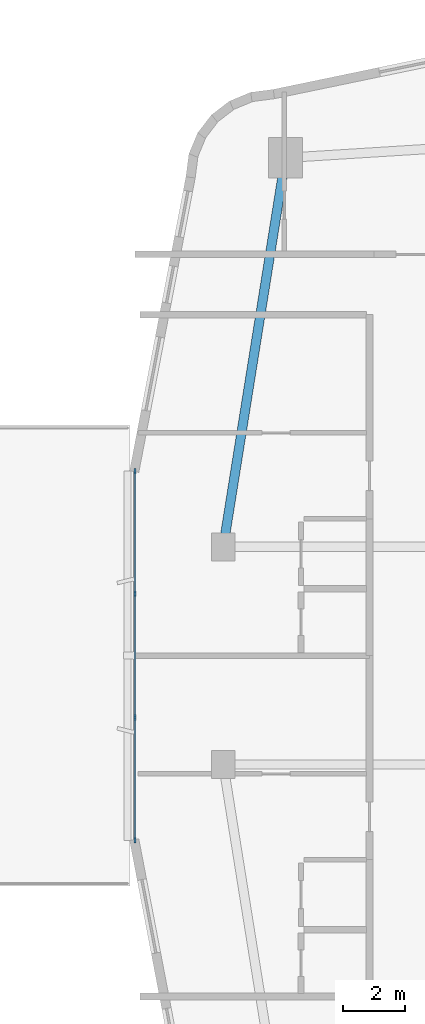
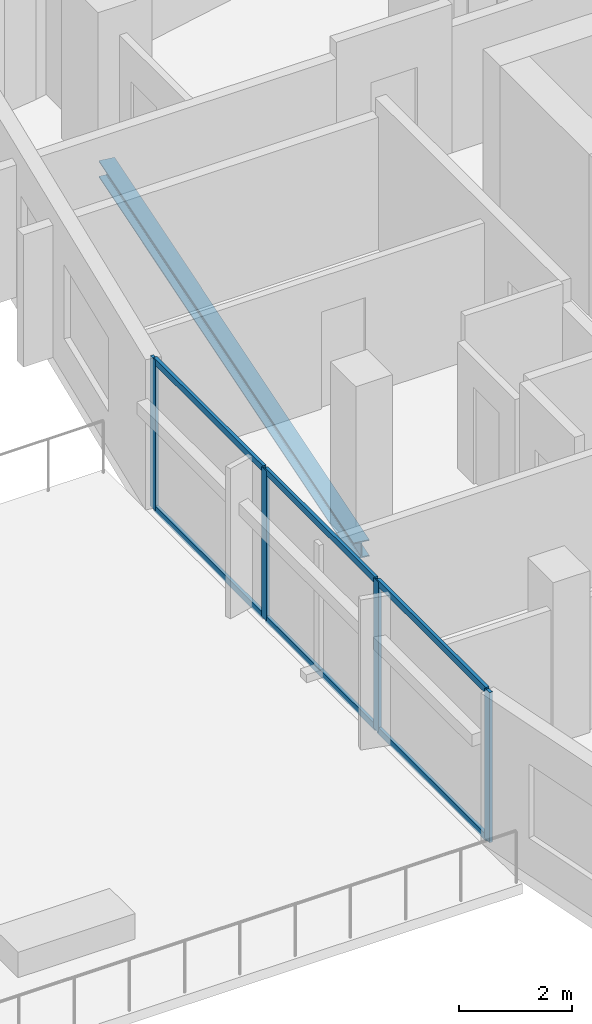
# One storey, part 5 of 25: 10 members, 1 beam, 1 element without a shape of its own.
"""IFC4 building model written with IfcOpenShell, lengths in metres."""

from ifc_helpers import new_model, si_unit, derived_unit, direction, frame, origin, origin_2d, place, context, subcontext, project, spatial, rectangle, i_section, extrude, material, layer, layer_set, material_profile, profile_set, type_object, element, aggregate, save


model = new_model("IFC4")

# Units and contexts
model_context = context("Model", 3, precision=1e-05, world=origin(), true_north=direction((0.0, 1.0)))
body_context = subcontext(model_context, "Body", "Model", "MODEL_VIEW")
ifc_project = project(units=[si_unit("LENGTHUNIT", "METRE"), si_unit("AREAUNIT", "SQUARE_METRE"), si_unit("VOLUMEUNIT", "CUBIC_METRE"), si_unit("PLANEANGLEUNIT", "RADIAN"), si_unit("MASSUNIT", "GRAM", prefix="KILO"), derived_unit("THERMALTRANSMITTANCEUNIT", [(si_unit("POWERUNIT", "WATT"), 1), (si_unit("LENGTHUNIT", "METRE"), -2), (si_unit("THERMODYNAMICTEMPERATUREUNIT", "KELVIN"), -1)])], contexts=[model_context])

# Site, building, storey
site_placement = place(None, origin())
site = spatial("IfcSite", under=ifc_project, at=site_placement, CompositionType="ELEMENT")
building_placement = place(site_placement, origin())
building = spatial("IfcBuilding", under=site, at=building_placement, Name="Kivonza Crest Hotel", CompositionType="ELEMENT")
storey_placement = place(building_placement, frame((0.0, 0.0, 24.0)))
storey = spatial("IfcBuildingStorey", under=building, at=storey_placement, Name="L05", CompositionType="ELEMENT", Elevation=24.0)

# Beam
ifc_material_1 = material(Name="Steel S355", Category="steel")
ifc_material_profile_1 = material_profile(ifc_material_1, i_section(OverallWidth=0.300048828125, OverallDepth=0.360107421875, WebThickness=0.012451171875, FlangeThickness=0.0224609375, FilletRadius=0.027099609375, at=origin_2d()), Name="HEB 360")
ifc_profile_set_1 = profile_set([ifc_material_profile_1], Name="Steel S355")
beam_type = type_object("IfcBeamType", Name="BM-HEB360", PredefinedType="SPANDREL", material=ifc_profile_set_1)
beam_placement = place(storey_placement, frame((63.0, 41.0, -0.429931640625), z_axis=(-0.157990501107, -0.987440631917, 0.0), x_axis=(0.987440631917, -0.157990501107, 0.0)))
element("IfcBeam", 1, at=beam_placement, inside=storey, type_object=beam_type, Name="Companion Tower T2 L05 perimeter spandrel NW-W2", PredefinedType="SPANDREL", context=body_context, shape_type="SweptSolid", body=[
    extrude(i_section(OverallWidth=0.300048828125, OverallDepth=0.360107421875, WebThickness=0.012451171875, FlangeThickness=0.0224609375, FilletRadius=0.027099609375, at=origin_2d()), origin(), (0.0, 0.0, 1.0), 12.658935546875),
])

# Curtain wall, members
ifc_material_2 = material(Name="Anodised bronze aluminium and low-E double glazing", Category="aluminium")
ifc_layer = layer(ifc_material_2, 0.179931640625)
ifc_layer_set = layer_set([ifc_layer], Name="Anodised bronze aluminium and low-E double glazing")
curtain_wall_type = type_object("IfcCurtainWallType", Name="CW-SYS-4", PredefinedType="NOTDEFINED", material=ifc_layer_set)
curtain_wall_placement = place(storey_placement, origin())
curtain_wall = element("IfcCurtainWall", 2, at=curtain_wall_placement, inside=storey, type_object=curtain_wall_type, Name="L05 unitised curtain wall CW-T2-L05-35", PredefinedType="NOTDEFINED")
ifc_material_3 = material(Name="Anodised bronze aluminium", Category="aluminium")
ifc_material_profile_2 = material_profile(ifc_material_3, rectangle(XDim=0.06494140625, YDim=0.179931640625, at=origin_2d()), Name="CW-M 65x180")
ifc_profile_set_2 = profile_set([ifc_material_profile_2], Name="Anodised bronze aluminium")
member_type_1 = type_object("IfcMemberType", Name="CW-MUL-65x180", PredefinedType="MULLION", material=ifc_profile_set_2)
member_1_placement = place(storey_placement, frame((58.159912109375, 30.927490234375, 0.0), z_axis=(0.0, 0.0, 1.0), x_axis=(1.0, 0.0, 0.0)))
member_1 = element("IfcMember", 3, at=member_1_placement, type_object=member_type_1, Name="CW-4 mullion 1", PredefinedType="MULLION", context=body_context, shape_type="SweptSolid", body=[
    extrude(rectangle(XDim=0.06494140625, YDim=0.179931640625, at=origin_2d()), origin(), (0.0, 0.0, 1.0), 3.25),
])
member_2_placement = place(storey_placement, frame((58.159912109375, 26.986572265625, 0.0), z_axis=(0.0, 0.0, 1.0), x_axis=(1.0, 0.0, 0.0)))
member_2 = element("IfcMember", 4, at=member_2_placement, type_object=member_type_1, Name="CW-4 mullion 2", PredefinedType="MULLION", context=body_context, shape_type="SweptSolid", body=[
    extrude(rectangle(XDim=0.06494140625, YDim=0.179931640625, at=origin_2d()), origin(), (0.0, 0.0, 1.0), 3.25),
])
member_3_placement = place(storey_placement, frame((58.159912109375, 23.013427734375, 0.0), z_axis=(0.0, 0.0, 1.0), x_axis=(1.0, 0.0, 0.0)))
member_3 = element("IfcMember", 5, at=member_3_placement, type_object=member_type_1, Name="CW-4 mullion 3", PredefinedType="MULLION", context=body_context, shape_type="SweptSolid", body=[
    extrude(rectangle(XDim=0.06494140625, YDim=0.179931640625, at=origin_2d()), origin(), (0.0, 0.0, 1.0), 3.25),
])
member_4_placement = place(storey_placement, frame((58.159912109375, 19.072509765625, 0.0), z_axis=(0.0, 0.0, 1.0), x_axis=(1.0, 0.0, 0.0)))
member_4 = element("IfcMember", 6, at=member_4_placement, type_object=member_type_1, Name="CW-4 mullion 4", PredefinedType="MULLION", context=body_context, shape_type="SweptSolid", body=[
    extrude(rectangle(XDim=0.06494140625, YDim=0.179931640625, at=origin_2d()), origin(), (0.0, 0.0, 1.0), 3.25),
])
ifc_material_profile_3 = material_profile(ifc_material_3, rectangle(XDim=0.06494140625, YDim=0.139892578125, at=origin_2d()), Name="CW-T 65x140")
ifc_profile_set_3 = profile_set([ifc_material_profile_3], Name="Anodised bronze aluminium")
member_type_2 = type_object("IfcMemberType", Name="CW-TRN-65x140", PredefinedType="USERDEFINED", material=ifc_profile_set_3)
member_5_placement = place(storey_placement, frame((58.159912109375, 30.89501953125, 0.032470703125), z_axis=(0.0, -1.0, 0.0), x_axis=(1.0, 0.0, 0.0)))
member_5 = element("IfcMember", 7, at=member_5_placement, type_object=member_type_2, Name="CW-4 transom 1.1", ObjectType="TRANSOM", PredefinedType="USERDEFINED", context=body_context, shape_type="SweptSolid", body=[
    extrude(rectangle(XDim=0.06494140625, YDim=0.139892578125, at=origin_2d()), origin(), (0.0, 0.0, 1.0), 3.875732421875),
])
member_6_placement = place(storey_placement, frame((58.159912109375, 30.89501953125, 3.217529296875), z_axis=(0.0, -1.0, 0.0), x_axis=(1.0, 0.0, 0.0)))
member_6 = element("IfcMember", 8, at=member_6_placement, type_object=member_type_2, Name="CW-4 transom 1.2", ObjectType="TRANSOM", PredefinedType="USERDEFINED", context=body_context, shape_type="SweptSolid", body=[
    extrude(rectangle(XDim=0.06494140625, YDim=0.139892578125, at=origin_2d()), origin(), (0.0, 0.0, 1.0), 3.875732421875),
])
member_7_placement = place(storey_placement, frame((58.159912109375, 26.9541015625, 0.032470703125), z_axis=(0.0, -1.0, 0.0), x_axis=(1.0, 0.0, 0.0)))
member_7 = element("IfcMember", 9, at=member_7_placement, type_object=member_type_2, Name="CW-4 transom 2.1", ObjectType="TRANSOM", PredefinedType="USERDEFINED", context=body_context, shape_type="SweptSolid", body=[
    extrude(rectangle(XDim=0.06494140625, YDim=0.139892578125, at=origin_2d()), origin(), (0.0, 0.0, 1.0), 3.908203125),
])
member_8_placement = place(storey_placement, frame((58.159912109375, 26.9541015625, 3.217529296875), z_axis=(0.0, -1.0, 0.0), x_axis=(1.0, 0.0, 0.0)))
member_8 = element("IfcMember", 10, at=member_8_placement, type_object=member_type_2, Name="CW-4 transom 2.2", ObjectType="TRANSOM", PredefinedType="USERDEFINED", context=body_context, shape_type="SweptSolid", body=[
    extrude(rectangle(XDim=0.06494140625, YDim=0.139892578125, at=origin_2d()), origin(), (0.0, 0.0, 1.0), 3.908203125),
])
member_9_placement = place(storey_placement, frame((58.159912109375, 22.980712890625, 0.032470703125), z_axis=(0.0, -1.0, 0.0), x_axis=(1.0, 0.0, 0.0)))
member_9 = element("IfcMember", 11, at=member_9_placement, type_object=member_type_2, Name="CW-4 transom 3.1", ObjectType="TRANSOM", PredefinedType="USERDEFINED", context=body_context, shape_type="SweptSolid", body=[
    extrude(rectangle(XDim=0.06494140625, YDim=0.139892578125, at=origin_2d()), origin(), (0.0, 0.0, 1.0), 3.875732421875),
])
member_10_placement = place(storey_placement, frame((58.159912109375, 22.980712890625, 3.217529296875), z_axis=(0.0, -1.0, 0.0), x_axis=(1.0, 0.0, 0.0)))
member_10 = element("IfcMember", 12, at=member_10_placement, type_object=member_type_2, Name="CW-4 transom 3.2", ObjectType="TRANSOM", PredefinedType="USERDEFINED", context=body_context, shape_type="SweptSolid", body=[
    extrude(rectangle(XDim=0.06494140625, YDim=0.139892578125, at=origin_2d()), origin(), (0.0, 0.0, 1.0), 3.875732421875),
])
aggregate(curtain_wall, [member_1, member_2, member_3, member_4, member_5, member_6, member_7, member_8, member_9, member_10])

save(model, "model.ifc")
